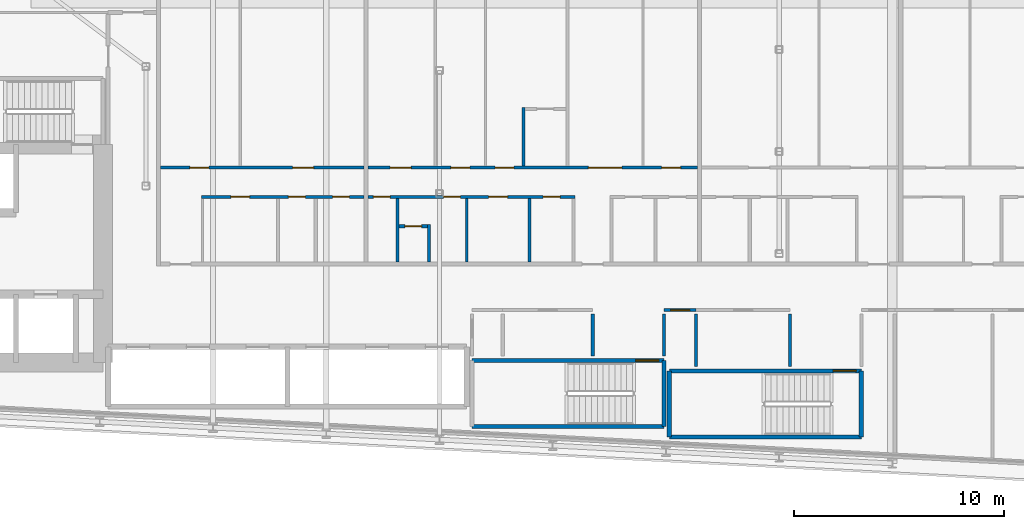
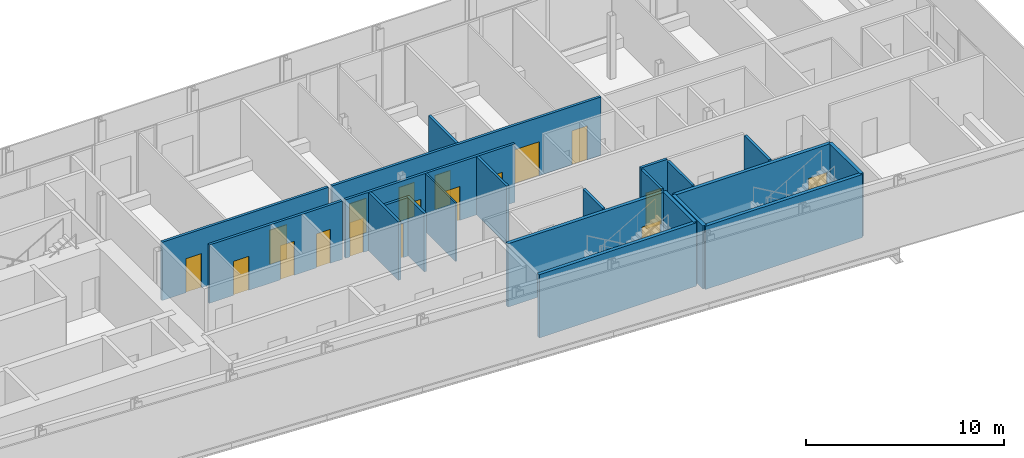
# One storey, part 15 of 28: 22 walls, 18 doors, 18 openings.
"""IFC4 building model written with IfcOpenShell, lengths in metres."""

from ifc_helpers import new_model, si_unit, direction, frame, frame_2d, origin, place, context, subcontext, project, spatial, rectangle, extrude, source, transform, mapped, material, layer, layer_set, type_object, element, fill, save


model = new_model("IFC4")

# Units and contexts
model_context = context("Model", 3, precision=1e-05, world=origin(), true_north=direction((0.0, 1.0)))
body_context = subcontext(model_context, "Body", "Model", "MODEL_VIEW")
ifc_project = project(units=[si_unit("LENGTHUNIT", "METRE"), si_unit("AREAUNIT", "SQUARE_METRE"), si_unit("VOLUMEUNIT", "CUBIC_METRE"), si_unit("PLANEANGLEUNIT", "RADIAN"), si_unit("MASSUNIT", "GRAM", prefix="KILO")], contexts=[model_context])

# Site, building, storey
site_placement = place(None, origin())
site = spatial("IfcSite", under=ifc_project, at=site_placement, CompositionType="ELEMENT")
building_placement = place(site_placement, origin())
building = spatial("IfcBuilding", under=site, at=building_placement, Name="Kheshtan School and Residences Tower", CompositionType="ELEMENT")
storey_placement = place(building_placement, frame((0.0, 0.0, 133.10009765625)))
storey = spatial("IfcBuildingStorey", under=building, at=storey_placement, Name="L31", CompositionType="ELEMENT", Elevation=133.10009765625)

# Walls
ifc_material_1 = material(Name="Gypsum board on steel studs", Category="steel")
ifc_layer_1 = layer(ifc_material_1, 0.10009765625)
ifc_layer_set_1 = layer_set([ifc_layer_1], Name="Gypsum partition 100")
wall_type_1 = type_object("IfcWallType", Name="Gypsum partition 100", PredefinedType="PARTITIONING", material=ifc_layer_set_1)
wall_1_placement = place(storey_placement, frame((70.5, 30.60009765625, 0.0), z_axis=(0.0, 0.0, 1.0), x_axis=(0.0, 1.0, 0.0)))
element("IfcWall", 1, at=wall_1_placement, inside=storey, type_object=wall_type_1, Name="Partition L31-061", PredefinedType="PARTITIONING", context=body_context, shape_type="SweptSolid", body=[
    extrude(rectangle(XDim=3.02490234375, YDim=0.10009765625, at=frame_2d((1.512451171875, 0.0))), origin(), (0.0, 0.0, 1.0), 3.599853515625),
])
ifc_material_2 = material(Name="Fire-board shaft wall system")
ifc_layer_2 = layer(ifc_material_2, 0.14990234375)
ifc_layer_set_2 = layer_set([ifc_layer_2], Name="Service room wall 150")
wall_type_2 = type_object("IfcWallType", Name="Service room wall 150", PredefinedType="PARTITIONING", material=ifc_layer_set_2)
wall_2_placement = place(storey_placement, frame((76.510009765625, 26.1201171875, 0.0), z_axis=(0.0, 0.0, 1.0), x_axis=(0.0, 1.0, 0.0)))
element("IfcWall", 2, at=wall_2_placement, inside=storey, type_object=wall_type_2, Name="Service room wall", PredefinedType="PARTITIONING", context=body_context, shape_type="SweptSolid", body=[
    extrude(rectangle(XDim=1.98486328125, YDim=0.14990234375, at=frame_2d((0.992431640625, 0.0))), origin(), (0.0, 0.0, 1.0), 3.89990234375),
])

# Wall, opening, door
wall_3_placement = place(storey_placement, frame((79.909912109375, 28.300048828125, 0.0), z_axis=(0.0, 0.0, 1.0), x_axis=(1.0, 0.0, 0.0)))
wall_3 = element("IfcWall", 3, at=wall_3_placement, inside=storey, type_object=wall_type_2, Name="Service room wall", PredefinedType="PARTITIONING", context=body_context, shape_type="SweptSolid", body=[
    extrude(rectangle(XDim=1.531005859375, YDim=0.14990234375, at=frame_2d((0.765625, 0.0))), origin(), (0.0, 0.0, 1.0), 3.89990234375),
])
opening_1_placement = place(wall_3_placement, frame((0.31591796875, 0.0, 0.0)))
opening_1 = element("IfcOpeningElement", 4, at=opening_1_placement, cuts=wall_3, Name="Opening SR90", PredefinedType="OPENING", context=body_context, shape_type="SweptSolid", body=[
    extrude(rectangle(XDim=0.89990234375, YDim=2.199951171875, at=frame_2d((0.449951171875, 1.10009765625))), frame((0.0, 0.0849609375, 0.0), z_axis=(0.0, -1.0, 0.0), x_axis=(1.0, 0.0, 0.0)), (0.0, 0.0, 1.0), 0.169921875),
])
ifc_material_3 = material(Name="Steel door leaf, galvanised", Category="steel")
door_type_1 = type_object("IfcDoorType", Name="Service room door 900 steel 90 min", OperationType="SINGLE_SWING_LEFT", PredefinedType="DOOR", material=ifc_material_3)
shared_shape_1 = source(origin(), body_context, "Body", "SweptSolid", [
    extrude(rectangle(XDim=0.89990234375, YDim=2.199951171875, at=frame_2d((0.449951171875, 1.10009765625))), frame((0.0, 0.02490234375, 0.0), z_axis=(0.0, -1.0, 0.0), x_axis=(1.0, 0.0, 0.0)), (0.0, 0.0, 1.0), 0.050048828125),
])
door_1_placement = place(opening_1_placement, origin())
door_1 = element("IfcDoor", 5, at=door_1_placement, inside=storey, type_object=door_type_1, Name="Service room door", OperationType="SINGLE_SWING_RIGHT", OverallHeight=2.199951171875, OverallWidth=0.89990234375, PredefinedType="DOOR", context=body_context, shape_type="MappedRepresentation", body=[
    mapped(shared_shape_1, transform((0.0, 0.0, 0.0), x_axis=(1.0, 0.0, 0.0), y_axis=(0.0, 1.0, 0.0), z_axis=(0.0, 0.0, 1.0), scale=1.0)),
])
fill(opening_1, door_1)

# Walls
wall_4_placement = place(storey_placement, frame((79.909912109375, 26.1201171875, 0.0), z_axis=(0.0, 0.0, 1.0), x_axis=(0.0, 1.0, 0.0)))
element("IfcWall", 6, at=wall_4_placement, inside=storey, type_object=wall_type_2, Name="Service room wall", PredefinedType="PARTITIONING", context=body_context, shape_type="SweptSolid", body=[
    extrude(rectangle(XDim=1.98486328125, YDim=0.14990234375, at=frame_2d((0.992431640625, 0.0))), origin(), (0.0, 0.0, 1.0), 3.89990234375),
])
for number, where, z_axis, x_axis, name in (
    (7, (81.44091796875, 25.6201171875, 0.0), (0.0, 0.0, 1.0), (0.0, 1.0, 0.0), "Service room wall"),
    (8, (85.919921875, 25.6201171875, 0.0), (0.0, 0.0, 1.0), (0.0, 1.0, 0.0), "Service room wall"),
):
    element("IfcWall", number, at=place(storey_placement, frame(where, z_axis=z_axis, x_axis=x_axis)), inside=storey, type_object=wall_type_2, Name=name, PredefinedType="PARTITIONING", context=body_context, shape_type="SweptSolid", body=[
        extrude(rectangle(XDim=2.48486328125, YDim=0.14990234375, at=frame_2d((1.242431640625, 0.0))), origin(), (0.0, 0.0, 1.0), 3.89990234375),
    ])
ifc_material_4 = material(Name="Concrete C40/50", Category="concrete")
ifc_layer_3 = layer(ifc_material_4, 0.199951171875)
ifc_layer_set_3 = layer_set([ifc_layer_3], Name="Stair enclosure wall 200 Concrete C40/50")
wall_type_3 = type_object("IfcWallType", Name="Stair enclosure wall 200 Concrete C40/50", PredefinedType="SHEAR", material=ifc_layer_set_3)
wall_5_placement = place(storey_placement, frame((80.159912109375, 22.25, 0.0), z_axis=(0.0, 0.0, 1.0), x_axis=(1.0, 0.0, 0.0)))
element("IfcWall", 9, at=wall_5_placement, inside=storey, type_object=wall_type_3, Name="Stair enclosure wall ST4", PredefinedType="SHEAR", context=body_context, shape_type="SweptSolid", body=[
    extrude(rectangle(XDim=9.16015625, YDim=0.199951171875, at=frame_2d((4.580078125, 0.0))), origin(), (0.0, 0.0, 1.0), 3.89990234375),
])

# Wall, opening, door
wall_6_placement = place(storey_placement, frame((80.159912109375, 25.39990234375, 0.0), z_axis=(0.0, 0.0, 1.0), x_axis=(1.0, 0.0, 0.0)))
wall_6 = element("IfcWall", 10, at=wall_6_placement, inside=storey, type_object=wall_type_3, Name="Stair enclosure wall ST4", PredefinedType="SHEAR", context=body_context, shape_type="SweptSolid", body=[
    extrude(rectangle(XDim=9.16015625, YDim=0.199951171875, at=frame_2d((4.580078125, 0.0))), origin(), (0.0, 0.0, 1.0), 3.89990234375),
])
opening_2_placement = place(wall_6_placement, frame((7.81005859375, 0.0, 0.0)))
opening_2 = element("IfcOpeningElement", 11, at=opening_2_placement, cuts=wall_6, Name="Opening ST4D", PredefinedType="OPENING", context=body_context, shape_type="SweptSolid", body=[
    extrude(rectangle(XDim=1.10009765625, YDim=2.199951171875, at=frame_2d((0.550048828125, 1.10009765625))), frame((0.0, 0.10986328125, 0.0), z_axis=(0.0, -1.0, 0.0), x_axis=(1.0, 0.0, 0.0)), (0.0, 0.0, 1.0), 0.219970703125),
])
door_type_2 = type_object("IfcDoorType", Name="Stair door 1100 steel 90 min", OperationType="SINGLE_SWING_LEFT", PredefinedType="DOOR", material=ifc_material_3)
shared_shape_2 = source(origin(), body_context, "Body", "SweptSolid", [
    extrude(rectangle(XDim=1.10009765625, YDim=2.199951171875, at=frame_2d((0.550048828125, 1.10009765625))), frame((0.0, 0.02490234375, 0.0), z_axis=(0.0, -1.0, 0.0), x_axis=(1.0, 0.0, 0.0)), (0.0, 0.0, 1.0), 0.050048828125),
])
door_2_placement = place(opening_2_placement, origin())
door_2 = element("IfcDoor", 12, at=door_2_placement, inside=storey, type_object=door_type_2, Name="Stair ST4 door", OperationType="SINGLE_SWING_LEFT", OverallHeight=2.199951171875, OverallWidth=1.10009765625, PredefinedType="DOOR", context=body_context, shape_type="MappedRepresentation", body=[
    mapped(shared_shape_2, transform((0.0, 0.0, 0.0), x_axis=(1.0, 0.0, 0.0), y_axis=(0.0, 1.0, 0.0), z_axis=(0.0, 0.0, 1.0), scale=1.0)),
])
fill(opening_2, door_2)

# Walls
for number, where, z_axis, x_axis, name in (
    (13, (80.159912109375, 22.25, 0.0), (0.0, 0.0, 1.0), (0.0, 1.0, 0.0), "Stair enclosure wall ST4"),
    (14, (89.320068359375, 22.25, 0.0), (0.0, 0.0, 1.0), (0.0, 1.0, 0.0), "Stair enclosure wall ST4"),
):
    element("IfcWall", number, at=place(storey_placement, frame(where, z_axis=z_axis, x_axis=x_axis)), inside=storey, type_object=wall_type_3, Name=name, PredefinedType="SHEAR", context=body_context, shape_type="SweptSolid", body=[
        extrude(rectangle(XDim=3.14990234375, YDim=0.199951171875, at=frame_2d((1.574951171875, 0.0))), origin(), (0.0, 0.0, 1.0), 3.89990234375),
    ])
wall_7_placement = place(storey_placement, frame((70.75, 22.75, 0.0), z_axis=(0.0, 0.0, 1.0), x_axis=(1.0, 0.0, 0.0)))
element("IfcWall", 15, at=wall_7_placement, inside=storey, type_object=wall_type_3, Name="Stair enclosure wall ST5", PredefinedType="SHEAR", context=body_context, shape_type="SweptSolid", body=[
    extrude(rectangle(XDim=9.159912109375, YDim=0.199951171875, at=frame_2d((4.580078125, 0.0))), origin(), (0.0, 0.0, 1.0), 3.89990234375),
])

# Wall, opening, door
wall_8_placement = place(storey_placement, frame((70.75, 25.89990234375, 0.0), z_axis=(0.0, 0.0, 1.0), x_axis=(1.0, 0.0, 0.0)))
wall_8 = element("IfcWall", 16, at=wall_8_placement, inside=storey, type_object=wall_type_3, Name="Stair enclosure wall ST5", PredefinedType="SHEAR", context=body_context, shape_type="SweptSolid", body=[
    extrude(rectangle(XDim=9.159912109375, YDim=0.199951171875, at=frame_2d((4.580078125, 0.0))), origin(), (0.0, 0.0, 1.0), 3.89990234375),
])
opening_3_placement = place(wall_8_placement, frame((7.81005859375, 0.0, 0.0)))
opening_3 = element("IfcOpeningElement", 17, at=opening_3_placement, cuts=wall_8, Name="Opening ST5D", PredefinedType="OPENING", context=body_context, shape_type="SweptSolid", body=[
    extrude(rectangle(XDim=1.10009765625, YDim=2.199951171875, at=frame_2d((0.550048828125, 1.10009765625))), frame((0.0, 0.10986328125, 0.0), z_axis=(0.0, -1.0, 0.0), x_axis=(1.0, 0.0, 0.0)), (0.0, 0.0, 1.0), 0.219970703125),
])
door_3_placement = place(opening_3_placement, origin())
door_3 = element("IfcDoor", 18, at=door_3_placement, inside=storey, type_object=door_type_2, Name="Stair ST5 door", OperationType="SINGLE_SWING_LEFT", OverallHeight=2.199951171875, OverallWidth=1.10009765625, PredefinedType="DOOR", context=body_context, shape_type="MappedRepresentation", body=[
    mapped(shared_shape_2, transform((0.0, 0.0, 0.0), x_axis=(1.0, 0.0, 0.0), y_axis=(0.0, 1.0, 0.0), z_axis=(0.0, 0.0, 1.0), scale=1.0)),
])
fill(opening_3, door_3)

# Wall
wall_9_placement = place(storey_placement, frame((79.909912109375, 22.75, 0.0), z_axis=(0.0, 0.0, 1.0), x_axis=(0.0, 1.0, 0.0)))
element("IfcWall", 19, at=wall_9_placement, inside=storey, type_object=wall_type_3, Name="Stair enclosure wall ST5", PredefinedType="SHEAR", context=body_context, shape_type="SweptSolid", body=[
    extrude(rectangle(XDim=3.14990234375, YDim=0.199951171875, at=frame_2d((1.574951171875, 0.0))), origin(), (0.0, 0.0, 1.0), 3.89990234375),
])

# Wall, openings, doors
ifc_material_5 = material(Name="Moisture-resistant gypsum board on steel studs", Category="steel")
ifc_layer_4 = layer(ifc_material_5, 0.14990234375)
ifc_layer_set_4 = layer_set([ifc_layer_4], Name="Wet-room partition 150")
wall_type_4 = type_object("IfcWallType", Name="Wet-room partition 150", PredefinedType="PARTITIONING", material=ifc_layer_set_4)
wall_10_placement = place(storey_placement, frame((55.89990234375, 35.10009765625, 0.0), z_axis=(0.0, 0.0, 1.0), x_axis=(1.0, 0.0, 0.0)))
wall_10 = element("IfcWall", 20, at=wall_10_placement, inside=storey, type_object=wall_type_4, Name="Partition L31-048", PredefinedType="PARTITIONING", context=body_context, shape_type="SweptSolid", body=[
    extrude(rectangle(XDim=9.7001953125, YDim=0.14990234375, at=frame_2d((4.85009765625, 0.0))), origin(), (0.0, 0.0, 1.0), 3.599853515625),
])
opening_4_placement = place(wall_10_placement, frame((1.39990234375, 0.0, 0.0)))
opening_4 = element("IfcOpeningElement", 21, at=opening_4_placement, cuts=wall_10, Name="Opening D29-002", PredefinedType="OPENING", context=body_context, shape_type="SweptSolid", body=[
    extrude(rectangle(XDim=0.89990234375, YDim=2.10009765625, at=frame_2d((0.449951171875, 1.050048828125))), frame((0.0, 0.0849609375, 0.0), z_axis=(0.0, -1.0, 0.0), x_axis=(1.0, 0.0, 0.0)), (0.0, 0.0, 1.0), 0.169921875),
])
opening_5_placement = place(wall_10_placement, frame((6.300048828125, 0.0, 0.0)))
opening_5 = element("IfcOpeningElement", 22, at=opening_5_placement, cuts=wall_10, Name="Opening D29-005", PredefinedType="OPENING", context=body_context, shape_type="SweptSolid", body=[
    extrude(rectangle(XDim=1.0, YDim=2.10009765625, at=frame_2d((0.5, 1.050048828125))), frame((0.0, 0.0849609375, 0.0), z_axis=(0.0, -1.0, 0.0), x_axis=(1.0, 0.0, 0.0)), (0.0, 0.0, 1.0), 0.169921875),
])
ifc_material_6 = material(Name="Veneered timber door leaf", Category="wood")
door_type_3 = type_object("IfcDoorType", Name="Door 1000 x 2100", OperationType="SINGLE_SWING_LEFT", PredefinedType="DOOR", material=ifc_material_6)
shared_shape_3 = source(origin(), body_context, "Body", "SweptSolid", [
    extrude(rectangle(XDim=1.0, YDim=2.10009765625, at=frame_2d((0.5, 1.050048828125))), frame((0.0, 0.02490234375, 0.0), z_axis=(0.0, -1.0, 0.0), x_axis=(1.0, 0.0, 0.0)), (0.0, 0.0, 1.0), 0.050048828125),
])
door_4_placement = place(opening_5_placement, origin())
door_4 = element("IfcDoor", 23, at=door_4_placement, inside=storey, type_object=door_type_3, Name="Door D29-005", OperationType="SINGLE_SWING_RIGHT", OverallHeight=2.10009765625, OverallWidth=1.0, PredefinedType="DOOR", context=body_context, shape_type="MappedRepresentation", body=[
    mapped(shared_shape_3, transform((0.0, 0.0, 0.0), x_axis=(1.0, 0.0, 0.0), y_axis=(0.0, 1.0, 0.0), z_axis=(0.0, 0.0, 1.0), scale=1.0)),
])
fill(opening_5, door_4)
door_type_4 = type_object("IfcDoorType", Name="Door 900 x 2100", OperationType="SINGLE_SWING_LEFT", PredefinedType="DOOR", material=ifc_material_6)
shared_shape_4 = source(origin(), body_context, "Body", "SweptSolid", [
    extrude(rectangle(XDim=0.89990234375, YDim=2.10009765625, at=frame_2d((0.449951171875, 1.050048828125))), frame((0.0, 0.02490234375, 0.0), z_axis=(0.0, -1.0, 0.0), x_axis=(1.0, 0.0, 0.0)), (0.0, 0.0, 1.0), 0.050048828125),
])
door_5_placement = place(opening_4_placement, origin())
door_5 = element("IfcDoor", 24, at=door_5_placement, inside=storey, type_object=door_type_4, Name="Door D29-002", OperationType="SINGLE_SWING_RIGHT", OverallHeight=2.10009765625, OverallWidth=0.89990234375, PredefinedType="DOOR", context=body_context, shape_type="MappedRepresentation", body=[
    mapped(shared_shape_4, transform((0.0, 0.0, 0.0), x_axis=(1.0, 0.0, 0.0), y_axis=(0.0, 1.0, 0.0), z_axis=(0.0, 0.0, 1.0), scale=1.0)),
])
fill(opening_4, door_5)

wall_11_placement = place(storey_placement, frame((57.85009765625, 33.699951171875, 0.0), z_axis=(0.0, 0.0, 1.0), x_axis=(1.0, 0.0, 0.0)))
wall_11 = element("IfcWall", 25, at=wall_11_placement, inside=storey, type_object=wall_type_4, Name="Partition L31-049", PredefinedType="PARTITIONING", context=body_context, shape_type="SweptSolid", body=[
    extrude(rectangle(XDim=7.75, YDim=0.14990234375, at=frame_2d((3.875, 0.0))), origin(), (0.0, 0.0, 1.0), 3.599853515625),
])
opening_6_placement = place(wall_11_placement, frame((6.25, 0.0, 0.0)))
opening_6 = element("IfcOpeningElement", 26, at=opening_6_placement, cuts=wall_11, Name="Opening D29-001", PredefinedType="OPENING", context=body_context, shape_type="SweptSolid", body=[
    extrude(rectangle(XDim=0.800048828125, YDim=2.10009765625, at=frame_2d((0.39990234375, 1.050048828125))), frame((0.0, 0.0849609375, 0.0), z_axis=(0.0, -1.0, 0.0), x_axis=(1.0, 0.0, 0.0)), (0.0, 0.0, 1.0), 0.169921875),
])
opening_7_placement = place(wall_11_placement, frame((1.39990234375, 0.0, 0.0)))
opening_7 = element("IfcOpeningElement", 27, at=opening_7_placement, cuts=wall_11, Name="Opening D29-004", PredefinedType="OPENING", context=body_context, shape_type="SweptSolid", body=[
    extrude(rectangle(XDim=0.89990234375, YDim=2.10009765625, at=frame_2d((0.449951171875, 1.050048828125))), frame((0.0, 0.0849609375, 0.0), z_axis=(0.0, -1.0, 0.0), x_axis=(1.0, 0.0, 0.0)), (0.0, 0.0, 1.0), 0.169921875),
])
opening_8_placement = place(wall_11_placement, frame((4.14990234375, 0.0, 0.0)))
opening_8 = element("IfcOpeningElement", 28, at=opening_8_placement, cuts=wall_11, Name="Opening D29-006", PredefinedType="OPENING", context=body_context, shape_type="SweptSolid", body=[
    extrude(rectangle(XDim=0.800048828125, YDim=2.10009765625, at=frame_2d((0.39990234375, 1.050048828125))), frame((0.0, 0.0849609375, 0.0), z_axis=(0.0, -1.0, 0.0), x_axis=(1.0, 0.0, 0.0)), (0.0, 0.0, 1.0), 0.169921875),
])
door_type_5 = type_object("IfcDoorType", Name="Door 800 x 2100", OperationType="SINGLE_SWING_LEFT", PredefinedType="DOOR", material=ifc_material_6)
shared_shape_5 = source(origin(), body_context, "Body", "SweptSolid", [
    extrude(rectangle(XDim=0.800048828125, YDim=2.10009765625, at=frame_2d((0.39990234375, 1.050048828125))), frame((0.0, 0.02490234375, 0.0), z_axis=(0.0, -1.0, 0.0), x_axis=(1.0, 0.0, 0.0)), (0.0, 0.0, 1.0), 0.050048828125),
])
door_6_placement = place(opening_6_placement, origin())
door_6 = element("IfcDoor", 29, at=door_6_placement, inside=storey, type_object=door_type_5, Name="Door D29-001", OperationType="SINGLE_SWING_LEFT", OverallHeight=2.10009765625, OverallWidth=0.800048828125, PredefinedType="DOOR", context=body_context, shape_type="MappedRepresentation", body=[
    mapped(shared_shape_5, transform((0.0, 0.0, 0.0), x_axis=(1.0, 0.0, 0.0), y_axis=(0.0, 1.0, 0.0), z_axis=(0.0, 0.0, 1.0), scale=1.0)),
])
fill(opening_6, door_6)
door_7_placement = place(opening_8_placement, origin())
door_7 = element("IfcDoor", 30, at=door_7_placement, inside=storey, type_object=door_type_5, Name="Door D29-006", OperationType="SINGLE_SWING_LEFT", OverallHeight=2.10009765625, OverallWidth=0.800048828125, PredefinedType="DOOR", context=body_context, shape_type="MappedRepresentation", body=[
    mapped(shared_shape_5, transform((0.0, 0.0, 0.0), x_axis=(1.0, 0.0, 0.0), y_axis=(0.0, 1.0, 0.0), z_axis=(0.0, 0.0, 1.0), scale=1.0)),
])
fill(opening_8, door_7)
door_8_placement = place(opening_7_placement, origin())
door_8 = element("IfcDoor", 31, at=door_8_placement, inside=storey, type_object=door_type_4, Name="Door D29-004", OperationType="SINGLE_SWING_LEFT", OverallHeight=2.10009765625, OverallWidth=0.89990234375, PredefinedType="DOOR", context=body_context, shape_type="MappedRepresentation", body=[
    mapped(shared_shape_4, transform((0.0, 0.0, 0.0), x_axis=(1.0, 0.0, 0.0), y_axis=(0.0, 1.0, 0.0), z_axis=(0.0, 0.0, 1.0), scale=1.0)),
])
fill(opening_7, door_8)

wall_12_placement = place(storey_placement, frame((65.800048828125, 33.699951171875, 0.0), z_axis=(0.0, 0.0, 1.0), x_axis=(1.0, 0.0, 0.0)))
wall_12 = element("IfcWall", 32, at=wall_12_placement, inside=storey, type_object=wall_type_4, Name="Partition L31-055", PredefinedType="PARTITIONING", context=body_context, shape_type="SweptSolid", body=[
    extrude(rectangle(XDim=9.875, YDim=0.14990234375, at=frame_2d((4.9375, 0.0))), origin(), (0.0, 0.0, 1.0), 3.599853515625),
])
opening_9_placement = place(wall_12_placement, frame((8.35009765625, 0.0, 0.0)))
opening_9 = element("IfcOpeningElement", 33, at=opening_9_placement, cuts=wall_12, Name="Opening D29-007", PredefinedType="OPENING", context=body_context, shape_type="SweptSolid", body=[
    extrude(rectangle(XDim=0.800048828125, YDim=2.10009765625, at=frame_2d((0.39990234375, 1.050048828125))), frame((0.0, 0.0849609375, 0.0), z_axis=(0.0, -1.0, 0.0), x_axis=(1.0, 0.0, 0.0)), (0.0, 0.0, 1.0), 0.169921875),
])
opening_10_placement = place(wall_12_placement, frame((5.75, 0.0, 0.0)))
opening_10 = element("IfcOpeningElement", 34, at=opening_10_placement, cuts=wall_12, Name="Opening D29-014", PredefinedType="OPENING", context=body_context, shape_type="SweptSolid", body=[
    extrude(rectangle(XDim=0.89990234375, YDim=2.10009765625, at=frame_2d((0.449951171875, 1.050048828125))), frame((0.0, 0.0849609375, 0.0), z_axis=(0.0, -1.0, 0.0), x_axis=(1.0, 0.0, 0.0)), (0.0, 0.0, 1.0), 0.169921875),
])
opening_11_placement = place(wall_12_placement, frame((3.60009765625, 0.0, 0.0)))
opening_11 = element("IfcOpeningElement", 35, at=opening_11_placement, cuts=wall_12, Name="Opening D29-016", PredefinedType="OPENING", context=body_context, shape_type="SweptSolid", body=[
    extrude(rectangle(XDim=0.800048828125, YDim=2.10009765625, at=frame_2d((0.39990234375, 1.050048828125))), frame((0.0, 0.0849609375, 0.0), z_axis=(0.0, -1.0, 0.0), x_axis=(1.0, 0.0, 0.0)), (0.0, 0.0, 1.0), 0.169921875),
])
opening_12_placement = place(wall_12_placement, frame((0.25, 0.0, 0.0)))
opening_12 = element("IfcOpeningElement", 36, at=opening_12_placement, cuts=wall_12, Name="Opening D29-020", PredefinedType="OPENING", context=body_context, shape_type="SweptSolid", body=[
    extrude(rectangle(XDim=0.800048828125, YDim=2.10009765625, at=frame_2d((0.39990234375, 1.050048828125))), frame((0.0, 0.0849609375, 0.0), z_axis=(0.0, -1.0, 0.0), x_axis=(1.0, 0.0, 0.0)), (0.0, 0.0, 1.0), 0.169921875),
])
door_9_placement = place(opening_9_placement, origin())
door_9 = element("IfcDoor", 37, at=door_9_placement, inside=storey, type_object=door_type_5, Name="Door D29-007", OperationType="SINGLE_SWING_LEFT", OverallHeight=2.10009765625, OverallWidth=0.800048828125, PredefinedType="DOOR", context=body_context, shape_type="MappedRepresentation", body=[
    mapped(shared_shape_5, transform((0.0, 0.0, 0.0), x_axis=(1.0, 0.0, 0.0), y_axis=(0.0, 1.0, 0.0), z_axis=(0.0, 0.0, 1.0), scale=1.0)),
])
fill(opening_9, door_9)
door_10_placement = place(opening_11_placement, origin())
door_10 = element("IfcDoor", 38, at=door_10_placement, inside=storey, type_object=door_type_5, Name="Door D29-016", OperationType="SINGLE_SWING_LEFT", OverallHeight=2.10009765625, OverallWidth=0.800048828125, PredefinedType="DOOR", context=body_context, shape_type="MappedRepresentation", body=[
    mapped(shared_shape_5, transform((0.0, 0.0, 0.0), x_axis=(1.0, 0.0, 0.0), y_axis=(0.0, 1.0, 0.0), z_axis=(0.0, 0.0, 1.0), scale=1.0)),
])
fill(opening_11, door_10)
door_11_placement = place(opening_12_placement, origin())
door_11 = element("IfcDoor", 39, at=door_11_placement, inside=storey, type_object=door_type_5, Name="Door D29-020", OperationType="SINGLE_SWING_LEFT", OverallHeight=2.10009765625, OverallWidth=0.800048828125, PredefinedType="DOOR", context=body_context, shape_type="MappedRepresentation", body=[
    mapped(shared_shape_5, transform((0.0, 0.0, 0.0), x_axis=(1.0, 0.0, 0.0), y_axis=(0.0, 1.0, 0.0), z_axis=(0.0, 0.0, 1.0), scale=1.0)),
])
fill(opening_12, door_11)
door_12_placement = place(opening_10_placement, origin())
door_12 = element("IfcDoor", 40, at=door_12_placement, inside=storey, type_object=door_type_4, Name="Door D29-014", OperationType="SINGLE_SWING_LEFT", OverallHeight=2.10009765625, OverallWidth=0.89990234375, PredefinedType="DOOR", context=body_context, shape_type="MappedRepresentation", body=[
    mapped(shared_shape_4, transform((0.0, 0.0, 0.0), x_axis=(1.0, 0.0, 0.0), y_axis=(0.0, 1.0, 0.0), z_axis=(0.0, 0.0, 1.0), scale=1.0)),
])
fill(opening_10, door_12)

wall_13_placement = place(storey_placement, frame((65.800048828125, 35.10009765625, 0.0), z_axis=(0.0, 0.0, 1.0), x_axis=(1.0, 0.0, 0.0)))
wall_13 = element("IfcWall", 41, at=wall_13_placement, inside=storey, type_object=wall_type_4, Name="Partition L31-056", PredefinedType="PARTITIONING", context=body_context, shape_type="SweptSolid", body=[
    extrude(rectangle(XDim=15.699951171875, YDim=0.14990234375, at=frame_2d((7.85009765625, 0.0))), origin(), (0.0, 0.0, 1.0), 3.599853515625),
])
opening_13_placement = place(wall_13_placement, frame((3.949951171875, 0.0, 0.0)))
opening_13 = element("IfcOpeningElement", 42, at=opening_13_placement, cuts=wall_13, Name="Opening D29-009", PredefinedType="OPENING", context=body_context, shape_type="SweptSolid", body=[
    extrude(rectangle(XDim=0.89990234375, YDim=2.10009765625, at=frame_2d((0.449951171875, 1.050048828125))), frame((0.0, 0.0849609375, 0.0), z_axis=(0.0, -1.0, 0.0), x_axis=(1.0, 0.0, 0.0)), (0.0, 0.0, 1.0), 0.169921875),
])
opening_14_placement = place(wall_13_placement, frame((14.0, 0.0, 0.0)))
opening_14 = element("IfcOpeningElement", 43, at=opening_14_placement, cuts=wall_13, Name="Opening D29-010", PredefinedType="OPENING", context=body_context, shape_type="SweptSolid", body=[
    extrude(rectangle(XDim=0.89990234375, YDim=2.10009765625, at=frame_2d((0.449951171875, 1.050048828125))), frame((0.0, 0.0849609375, 0.0), z_axis=(0.0, -1.0, 0.0), x_axis=(1.0, 0.0, 0.0)), (0.0, 0.0, 1.0), 0.169921875),
])
opening_15_placement = place(wall_13_placement, frame((1.050048828125, 0.0, 0.0)))
opening_15 = element("IfcOpeningElement", 44, at=opening_15_placement, cuts=wall_13, Name="Opening D29-015", PredefinedType="OPENING", context=body_context, shape_type="SweptSolid", body=[
    extrude(rectangle(XDim=1.0, YDim=2.10009765625, at=frame_2d((0.5, 1.050048828125))), frame((0.0, 0.0849609375, 0.0), z_axis=(0.0, -1.0, 0.0), x_axis=(1.0, 0.0, 0.0)), (0.0, 0.0, 1.0), 0.169921875),
])
opening_16_placement = place(wall_13_placement, frame((10.5, 0.0, 0.0)))
opening_16 = element("IfcOpeningElement", 45, at=opening_16_placement, cuts=wall_13, Name="Opening D29-018", PredefinedType="OPENING", context=body_context, shape_type="SweptSolid", body=[
    extrude(rectangle(XDim=1.60009765625, YDim=2.10009765625, at=frame_2d((0.800048828125, 1.050048828125))), frame((0.0, 0.0849609375, 0.0), z_axis=(0.0, -1.0, 0.0), x_axis=(1.0, 0.0, 0.0)), (0.0, 0.0, 1.0), 0.169921875),
])
opening_17_placement = place(wall_13_placement, frame((6.050048828125, 0.0, 0.0)))
opening_17 = element("IfcOpeningElement", 46, at=opening_17_placement, cuts=wall_13, Name="Opening D29-019", PredefinedType="OPENING", context=body_context, shape_type="SweptSolid", body=[
    extrude(rectangle(XDim=0.89990234375, YDim=2.10009765625, at=frame_2d((0.449951171875, 1.050048828125))), frame((0.0, 0.0849609375, 0.0), z_axis=(0.0, -1.0, 0.0), x_axis=(1.0, 0.0, 0.0)), (0.0, 0.0, 1.0), 0.169921875),
])
door_13_placement = place(opening_15_placement, origin())
door_13 = element("IfcDoor", 47, at=door_13_placement, inside=storey, type_object=door_type_3, Name="Door D29-015", OperationType="SINGLE_SWING_RIGHT", OverallHeight=2.10009765625, OverallWidth=1.0, PredefinedType="DOOR", context=body_context, shape_type="MappedRepresentation", body=[
    mapped(shared_shape_3, transform((0.0, 0.0, 0.0), x_axis=(1.0, 0.0, 0.0), y_axis=(0.0, 1.0, 0.0), z_axis=(0.0, 0.0, 1.0), scale=1.0)),
])
fill(opening_15, door_13)
door_14_placement = place(opening_13_placement, origin())
door_14 = element("IfcDoor", 48, at=door_14_placement, inside=storey, type_object=door_type_4, Name="Door D29-009", OperationType="SINGLE_SWING_RIGHT", OverallHeight=2.10009765625, OverallWidth=0.89990234375, PredefinedType="DOOR", context=body_context, shape_type="MappedRepresentation", body=[
    mapped(shared_shape_4, transform((0.0, 0.0, 0.0), x_axis=(1.0, 0.0, 0.0), y_axis=(0.0, 1.0, 0.0), z_axis=(0.0, 0.0, 1.0), scale=1.0)),
])
fill(opening_13, door_14)
door_15_placement = place(opening_14_placement, origin())
door_15 = element("IfcDoor", 49, at=door_15_placement, inside=storey, type_object=door_type_4, Name="Door D29-010", OperationType="SINGLE_SWING_RIGHT", OverallHeight=2.10009765625, OverallWidth=0.89990234375, PredefinedType="DOOR", context=body_context, shape_type="MappedRepresentation", body=[
    mapped(shared_shape_4, transform((0.0, 0.0, 0.0), x_axis=(1.0, 0.0, 0.0), y_axis=(0.0, 1.0, 0.0), z_axis=(0.0, 0.0, 1.0), scale=1.0)),
])
fill(opening_14, door_15)
door_16_placement = place(opening_17_placement, origin())
door_16 = element("IfcDoor", 50, at=door_16_placement, inside=storey, type_object=door_type_4, Name="Door D29-019", OperationType="SINGLE_SWING_LEFT", OverallHeight=2.10009765625, OverallWidth=0.89990234375, PredefinedType="DOOR", context=body_context, shape_type="MappedRepresentation", body=[
    mapped(shared_shape_4, transform((0.0, 0.0, 0.0), x_axis=(1.0, 0.0, 0.0), y_axis=(0.0, 1.0, 0.0), z_axis=(0.0, 0.0, 1.0), scale=1.0)),
])
fill(opening_17, door_16)
door_type_6 = type_object("IfcDoorType", Name="Double door 1600 x 2100", OperationType="DOUBLE_DOOR_SINGLE_SWING", PredefinedType="DOOR", material=ifc_material_6)
shared_shape_6 = source(origin(), body_context, "Body", "SweptSolid", [
    extrude(rectangle(XDim=1.60009765625, YDim=2.10009765625, at=frame_2d((0.800048828125, 1.050048828125))), frame((0.0, 0.02490234375, 0.0), z_axis=(0.0, -1.0, 0.0), x_axis=(1.0, 0.0, 0.0)), (0.0, 0.0, 1.0), 0.050048828125),
])
door_17_placement = place(opening_16_placement, origin())
door_17 = element("IfcDoor", 51, at=door_17_placement, inside=storey, type_object=door_type_6, Name="Door D29-018", OperationType="DOUBLE_DOOR_SINGLE_SWING", OverallHeight=2.10009765625, OverallWidth=1.60009765625, PredefinedType="DOOR", context=body_context, shape_type="MappedRepresentation", body=[
    mapped(shared_shape_6, transform((0.0, 0.0, 0.0), x_axis=(1.0, 0.0, 0.0), y_axis=(0.0, 1.0, 0.0), z_axis=(0.0, 0.0, 1.0), scale=1.0)),
])
fill(opening_16, door_17)

# Wall
wall_14_placement = place(storey_placement, frame((67.199951171875, 30.60009765625, 0.0), z_axis=(0.0, 0.0, 1.0), x_axis=(0.0, 1.0, 0.0)))
element("IfcWall", 52, at=wall_14_placement, inside=storey, type_object=wall_type_4, Name="Partition L31-057", PredefinedType="PARTITIONING", context=body_context, shape_type="SweptSolid", body=[
    extrude(rectangle(XDim=3.02490234375, YDim=0.14990234375, at=frame_2d((1.512451171875, 0.0))), origin(), (0.0, 0.0, 1.0), 3.599853515625),
])

# Wall, opening, door
wall_15_placement = place(storey_placement, frame((67.27490234375, 32.300048828125, 0.0), z_axis=(0.0, 0.0, 1.0), x_axis=(1.0, 0.0, 0.0)))
wall_15 = element("IfcWall", 53, at=wall_15_placement, inside=storey, type_object=wall_type_4, Name="Partition L31-058", PredefinedType="PARTITIONING", context=body_context, shape_type="SweptSolid", body=[
    extrude(rectangle(XDim=1.35009765625, YDim=0.14990234375, at=frame_2d((0.675048828125, 0.0))), origin(), (0.0, 0.0, 1.0), 3.599853515625),
])
opening_18_placement = place(wall_15_placement, frame((0.27490234375, 0.0, 0.0)))
opening_18 = element("IfcOpeningElement", 54, at=opening_18_placement, cuts=wall_15, Name="Opening D29-017", PredefinedType="OPENING", context=body_context, shape_type="SweptSolid", body=[
    extrude(rectangle(XDim=0.800048828125, YDim=2.10009765625, at=frame_2d((0.39990234375, 1.050048828125))), frame((0.0, 0.0849609375, 0.0), z_axis=(0.0, -1.0, 0.0), x_axis=(1.0, 0.0, 0.0)), (0.0, 0.0, 1.0), 0.169921875),
])
door_18_placement = place(opening_18_placement, origin())
door_18 = element("IfcDoor", 55, at=door_18_placement, inside=storey, type_object=door_type_5, Name="Door D29-017", OperationType="SINGLE_SWING_RIGHT", OverallHeight=2.10009765625, OverallWidth=0.800048828125, PredefinedType="DOOR", context=body_context, shape_type="MappedRepresentation", body=[
    mapped(shared_shape_5, transform((0.0, 0.0, 0.0), x_axis=(1.0, 0.0, 0.0), y_axis=(0.0, 1.0, 0.0), z_axis=(0.0, 0.0, 1.0), scale=1.0)),
])
fill(opening_18, door_18)

# Walls
wall_16_placement = place(storey_placement, frame((68.699951171875, 30.60009765625, 0.0), z_axis=(0.0, 0.0, 1.0), x_axis=(0.0, 1.0, 0.0)))
element("IfcWall", 56, at=wall_16_placement, inside=storey, type_object=wall_type_4, Name="Partition L31-059", PredefinedType="PARTITIONING", context=body_context, shape_type="SweptSolid", body=[
    extrude(rectangle(XDim=1.77490234375, YDim=0.14990234375, at=frame_2d((0.887451171875, 0.0))), origin(), (0.0, 0.0, 1.0), 3.599853515625),
])
wall_17_placement = place(storey_placement, frame((73.199951171875, 35.175048828125, 0.0), z_axis=(0.0, 0.0, 1.0), x_axis=(0.0, 1.0, 0.0)))
element("IfcWall", 57, at=wall_17_placement, inside=storey, type_object=wall_type_4, Name="Partition L31-063", PredefinedType="PARTITIONING", context=body_context, shape_type="SweptSolid", body=[
    extrude(rectangle(XDim=2.800048828125, YDim=0.14990234375, at=frame_2d((1.39990234375, 0.0))), origin(), (0.0, 0.0, 1.0), 3.599853515625),
])
wall_18_placement = place(storey_placement, frame((73.5, 30.60009765625, 0.0), z_axis=(0.0, 0.0, 1.0), x_axis=(0.0, 1.0, 0.0)))
element("IfcWall", 58, at=wall_18_placement, inside=storey, type_object=wall_type_4, Name="Partition L31-065", PredefinedType="PARTITIONING", context=body_context, shape_type="SweptSolid", body=[
    extrude(rectangle(XDim=3.02490234375, YDim=0.14990234375, at=frame_2d((1.512451171875, 0.0))), origin(), (0.0, 0.0, 1.0), 3.599853515625),
])

save(model, "model.ifc")
